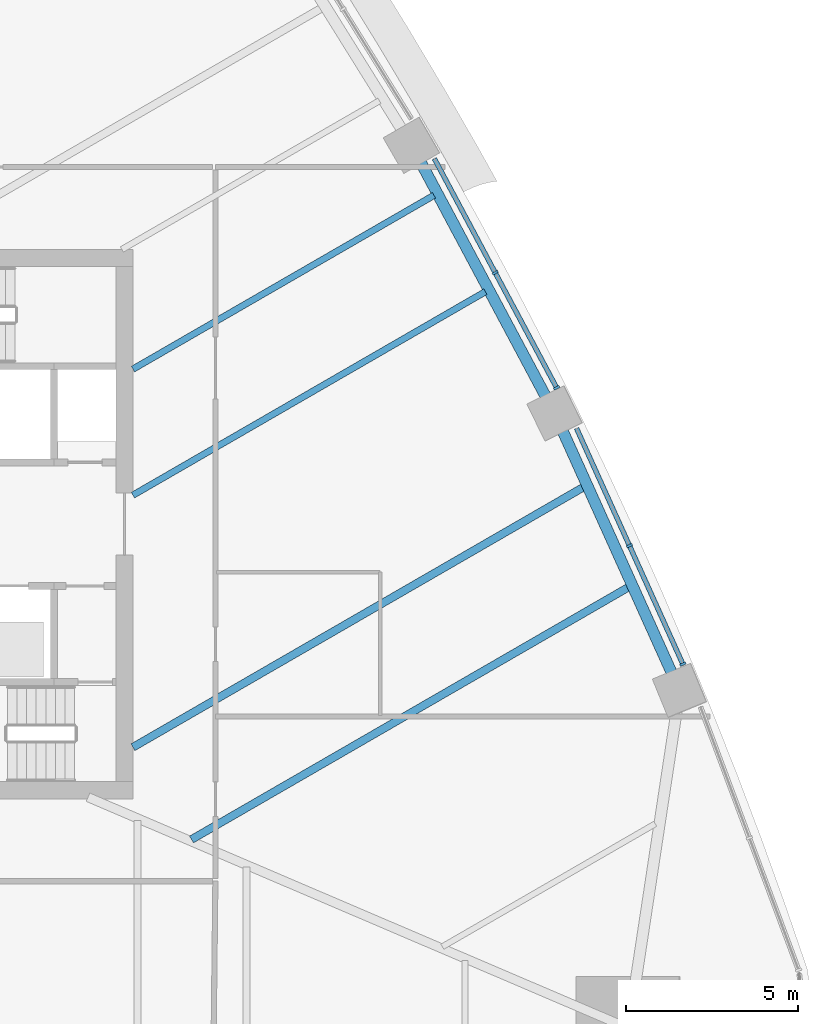
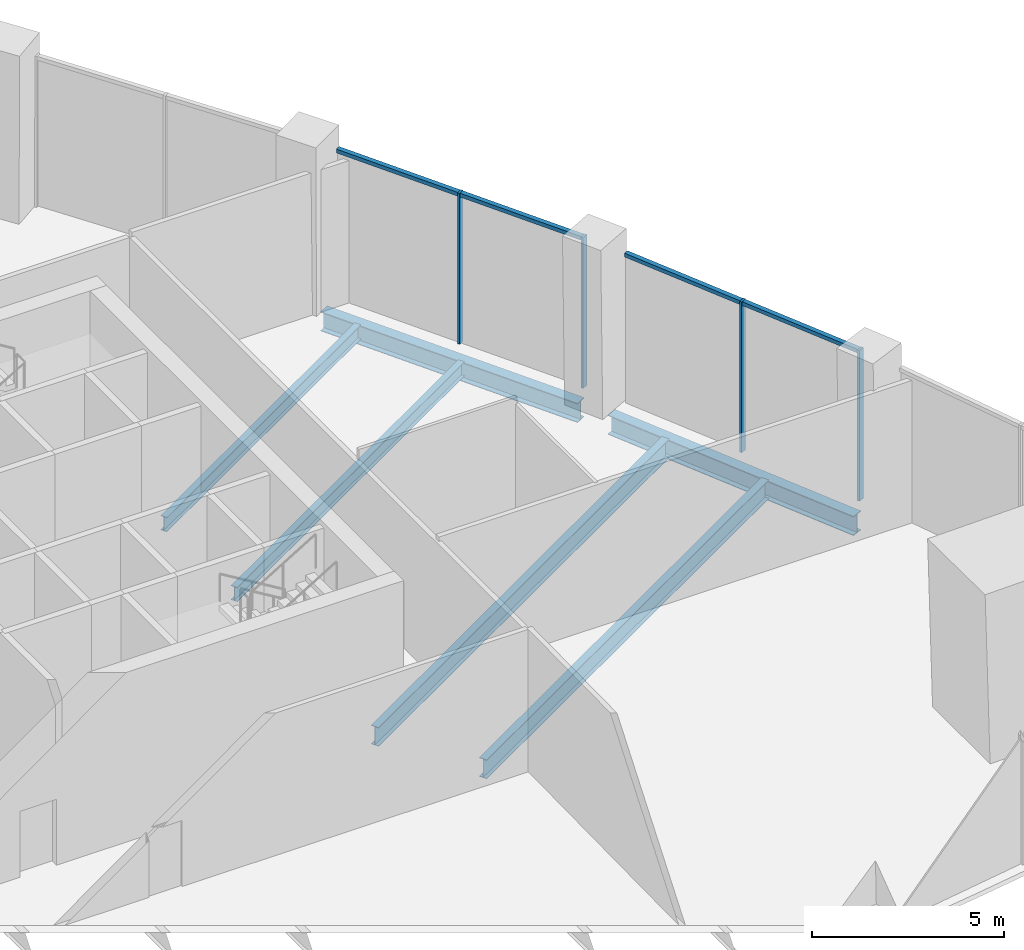
# One storey, part 5 of 16: 8 members, 6 beams, 2 elements without a shape of their own.
"""IFC4 building model written with IfcOpenShell, lengths in metres."""

from ifc_helpers import new_model, si_unit, direction, frame, origin, origin_2d, place, context, subcontext, project, spatial, rectangle, i_section, extrude, material, layer, layer_set, material_profile, profile_set, type_object, element, aggregate, save


model = new_model("IFC4")

# Units and contexts
model_context = context("Model", 3, precision=1e-05, world=origin(), true_north=direction((0.0, 1.0)))
body_context = subcontext(model_context, "Body", "Model", "MODEL_VIEW")
ifc_project = project(units=[si_unit("LENGTHUNIT", "METRE"), si_unit("AREAUNIT", "SQUARE_METRE"), si_unit("VOLUMEUNIT", "CUBIC_METRE"), si_unit("PLANEANGLEUNIT", "RADIAN"), si_unit("MASSUNIT", "GRAM", prefix="KILO")], contexts=[model_context])

# Site, building, storey
site_placement = place(None, origin())
site = spatial("IfcSite", under=ifc_project, at=site_placement, CompositionType="ELEMENT")
building_placement = place(site_placement, origin())
building = spatial("IfcBuilding", under=site, at=building_placement, Name="Sierra Prisma Convention Tower", CompositionType="ELEMENT")
storey_placement = place(building_placement, frame((0.0, 0.0, 107.199951171875)))
storey = spatial("IfcBuildingStorey", under=building, at=storey_placement, Name="L23", CompositionType="ELEMENT", Elevation=107.199951171875)

# Curtain wall, members
ifc_material_1 = material(Name="Aluminium and glass curtain wall", Category="aluminium")
ifc_layer = layer(ifc_material_1, 0.179931640625)
ifc_layer_set = layer_set([ifc_layer], Name="CW-1 Plain shaft curtain wall")
curtain_wall_type = type_object("IfcCurtainWallType", Name="CW-1 Plain shaft curtain wall", PredefinedType="NOTDEFINED", material=ifc_layer_set)
curtain_wall_1_placement = place(storey_placement, origin())
curtain_wall_1 = element("IfcCurtainWall", 1, at=curtain_wall_1_placement, inside=storey, type_object=curtain_wall_type, Name="CW-1 NE2 L23", PredefinedType="NOTDEFINED")
ifc_material_2 = material(Name="Aluminium 6063-T6 bronze anodised", Category="aluminium")
ifc_material_profile_1 = material_profile(ifc_material_2, rectangle(XDim=0.179931640625, YDim=0.070068359375, at=origin_2d()), Name="ALU MULLION 70x180")
ifc_profile_set_1 = profile_set([ifc_material_profile_1], Name="Aluminium 6063-T6 bronze anodised")
member_type_1 = type_object("IfcMemberType", Name="CW mullion bronze", PredefinedType="MULLION", material=ifc_profile_set_1)
member_1_placement = place(storey_placement, frame((27.015625, -4.0771484375, 0.0), z_axis=(0.0, 0.0, 1.0), x_axis=(-0.911632471612, -0.411006370634, 0.0)))
member_1 = element("IfcMember", 2, at=member_1_placement, type_object=member_type_1, Name="CW-1 mullion NE2.1", PredefinedType="MULLION", context=body_context, shape_type="SweptSolid", body=[
    extrude(rectangle(XDim=0.179931640625, YDim=0.070068359375, at=origin_2d()), origin(), (0.0, 0.0, 1.0), 4.800048828125),
])
member_2_placement = place(storey_placement, frame((25.46044921875, -0.6279296875, 0.0), z_axis=(0.0, 0.0, 1.0), x_axis=(-0.911632471612, -0.411006370634, 0.0)))
member_2 = element("IfcMember", 3, at=member_2_placement, type_object=member_type_1, Name="CW-1 mullion NE2.2", PredefinedType="MULLION", context=body_context, shape_type="SweptSolid", body=[
    extrude(rectangle(XDim=0.179931640625, YDim=0.070068359375, at=origin_2d()), origin(), (0.0, 0.0, 1.0), 4.800048828125),
])

curtain_wall_2_placement = place(storey_placement, origin())
curtain_wall_2 = element("IfcCurtainWall", 4, at=curtain_wall_2_placement, inside=storey, type_object=curtain_wall_type, Name="CW-1 NE3 L23", PredefinedType="NOTDEFINED")
member_3_placement = place(storey_placement, frame((23.33935546875, 3.9716796875, 0.0), z_axis=(0.0, 0.0, 1.0), x_axis=(-0.882214348939, -0.470848003633, 0.0)))
member_3 = element("IfcMember", 5, at=member_3_placement, type_object=member_type_1, Name="CW-1 mullion NE3.1", PredefinedType="MULLION", context=body_context, shape_type="SweptSolid", body=[
    extrude(rectangle(XDim=0.179931640625, YDim=0.070068359375, at=origin_2d()), origin(), (0.0, 0.0, 1.0), 4.800048828125),
])
member_4_placement = place(storey_placement, frame((21.55029296875, 7.323974609375, 0.0), z_axis=(0.0, 0.0, 1.0), x_axis=(-0.882214348939, -0.470848003633, 0.0)))
member_4 = element("IfcMember", 6, at=member_4_placement, type_object=member_type_1, Name="CW-1 mullion NE3.2", PredefinedType="MULLION", context=body_context, shape_type="SweptSolid", body=[
    extrude(rectangle(XDim=0.179931640625, YDim=0.070068359375, at=origin_2d()), origin(), (0.0, 0.0, 1.0), 4.800048828125),
])

# Member
ifc_material_3 = material(Name="Aluminium 6063-T6 bronze anodised", Category="aluminium")
ifc_material_profile_2 = material_profile(ifc_material_3, rectangle(XDim=0.139892578125, YDim=0.1201171875, at=origin_2d()), Name="ALU TRANSOM 120x140")
ifc_profile_set_2 = profile_set([ifc_material_profile_2], Name="Aluminium 6063-T6 bronze anodised")
member_type_2 = type_object("IfcMemberType", Name="CW transom bronze", PredefinedType="USERDEFINED", material=ifc_profile_set_2)
member_5_placement = place(storey_placement, frame((27.001220703125, -4.04541015625, 4.739990234375), z_axis=(-0.410987784755, 0.911640850764, 0.0), x_axis=(-0.911640850764, -0.410987784755, 0.0)))
member_5 = element("IfcMember", 7, at=member_5_placement, type_object=member_type_2, Name="CW-1 transom NE2.1", ObjectType="TRANSOM", PredefinedType="USERDEFINED", context=body_context, shape_type="SweptSolid", body=[
    extrude(rectangle(XDim=0.139892578125, YDim=0.1201171875, at=origin_2d()), origin(), (0.0, 0.0, 1.0), 3.7138671875),
])

member_6_placement = place(storey_placement, frame((25.446044921875, -0.595947265625, 4.739990234375), z_axis=(-0.41101241598, 0.911629746065, 0.0), x_axis=(-0.911629746065, -0.41101241598, 0.0)))
member_6 = element("IfcMember", 8, at=member_6_placement, type_object=member_type_2, Name="CW-1 transom NE2.2", ObjectType="TRANSOM", PredefinedType="USERDEFINED", context=body_context, shape_type="SweptSolid", body=[
    extrude(rectangle(XDim=0.139892578125, YDim=0.1201171875, at=origin_2d()), origin(), (0.0, 0.0, 1.0), 3.713623046875),
])

aggregate(curtain_wall_1, [member_1, member_2, member_5, member_6])

member_7_placement = place(storey_placement, frame((23.32275390625, 4.002685546875, 4.739990234375), z_axis=(-0.470829433264, 0.882224259909, 0.0), x_axis=(-0.882224259909, -0.470829433264, 0.0)))
member_7 = element("IfcMember", 9, at=member_7_placement, type_object=member_type_2, Name="CW-1 transom NE3.1", ObjectType="TRANSOM", PredefinedType="USERDEFINED", context=body_context, shape_type="SweptSolid", body=[
    extrude(rectangle(XDim=0.139892578125, YDim=0.1201171875, at=origin_2d()), origin(), (0.0, 0.0, 1.0), 3.729736328125),
])

member_8_placement = place(storey_placement, frame((21.53369140625, 7.35498046875, 4.739990234375), z_axis=(-0.470856623792, 0.882209748207, 0.0), x_axis=(-0.882209748207, -0.470856623792, 0.0)))
member_8 = element("IfcMember", 10, at=member_8_placement, type_object=member_type_2, Name="CW-1 transom NE3.2", ObjectType="TRANSOM", PredefinedType="USERDEFINED", context=body_context, shape_type="SweptSolid", body=[
    extrude(rectangle(XDim=0.139892578125, YDim=0.1201171875, at=origin_2d()), origin(), (0.0, 0.0, 1.0), 3.7294921875),
])

aggregate(curtain_wall_2, [member_3, member_4, member_7, member_8])

# Beams
ifc_material_4 = material(Name="Steel ASTM A992 Gr 50", Category="steel")
ifc_material_profile_3 = material_profile(ifc_material_4, i_section(OverallWidth=0.18994140625, OverallDepth=0.45703125, WebThickness=0.009033203125, FlangeThickness=0.014404296875, at=origin_2d()), Name="W460x74")
ifc_profile_set_3 = profile_set([ifc_material_profile_3], Name="Steel ASTM A992 Gr 50")
beam_type_1 = type_object("IfcBeamType", Name="Floor joist W460x74", PredefinedType="JOIST", material=ifc_profile_set_3)
beam_1_placement = place(storey_placement, frame((21.264892578125, 6.770751953125, -0.37841796875), z_axis=(-0.866022657331, -0.500004756968, 0.0), x_axis=(0.500004756968, -0.866022657331, 0.0)))
element("IfcBeam", 11, at=beam_1_placement, inside=storey, type_object=beam_type_1, Name="Floor joist L23 NE07", PredefinedType="JOIST", context=body_context, shape_type="SweptSolid", body=[
    extrude(i_section(OverallWidth=0.18994140625, OverallDepth=0.45703125, WebThickness=0.009033203125, FlangeThickness=0.014404296875, at=origin_2d()), origin(), (0.0, 0.0, 1.0), 11.85302734375),
])
beam_2_placement = place(storey_placement, frame((19.76708984375, 9.576904296875, -0.37841796875), z_axis=(-0.866032172415, -0.499988276205, 0.0), x_axis=(0.499988276205, -0.866032172415, 0.0)))
element("IfcBeam", 12, at=beam_2_placement, inside=storey, type_object=beam_type_1, Name="Floor joist L23 NE08", PredefinedType="JOIST", context=body_context, shape_type="SweptSolid", body=[
    extrude(i_section(OverallWidth=0.18994140625, OverallDepth=0.45703125, WebThickness=0.009033203125, FlangeThickness=0.014404296875, at=origin_2d()), origin(), (0.0, 0.0, 1.0), 10.123291015625),
])
ifc_material_5 = material(Name="Steel ASTM A992 Gr 50", Category="steel")
ifc_material_profile_4 = material_profile(ifc_material_5, i_section(OverallWidth=0.22802734375, OverallDepth=0.60302734375, WebThickness=0.010498046875, FlangeThickness=0.014892578125, at=origin_2d()), Name="W610x101")
ifc_profile_set_4 = profile_set([ifc_material_profile_4], Name="Steel ASTM A992 Gr 50")
beam_type_2 = type_object("IfcBeamType", Name="Floor joist W610x101", PredefinedType="JOIST", material=ifc_profile_set_4)
beam_3_placement = place(storey_placement, frame((25.44091796875, -1.83154296875, -0.451416015625), z_axis=(-0.86603298155, -0.499986874695, 0.0), x_axis=(0.499986874695, -0.86603298155, 0.0)))
element("IfcBeam", 13, at=beam_3_placement, inside=storey, type_object=beam_type_2, Name="Floor joist L23 NE04", PredefinedType="JOIST", context=body_context, shape_type="SweptSolid", body=[
    extrude(i_section(OverallWidth=0.22802734375, OverallDepth=0.60302734375, WebThickness=0.010498046875, FlangeThickness=0.014892578125, at=origin_2d()), origin(), (0.0, 0.0, 1.0), 14.7060546875),
])
beam_4_placement = place(storey_placement, frame((24.12744140625, 1.081298828125, -0.451416015625), z_axis=(-0.866026268399, -0.49999850244, 0.0), x_axis=(0.49999850244, -0.866026268399, 0.0)))
element("IfcBeam", 14, at=beam_4_placement, inside=storey, type_object=beam_type_2, Name="Floor joist L23 NE05", PredefinedType="JOIST", context=body_context, shape_type="SweptSolid", body=[
    extrude(i_section(OverallWidth=0.22802734375, OverallDepth=0.60302734375, WebThickness=0.010498046875, FlangeThickness=0.014892578125, at=origin_2d()), origin(), (0.0, 0.0, 1.0), 15.158203125),
])
ifc_material_6 = material(Name="Steel ASTM A992 Gr 50", Category="steel")
ifc_material_profile_5 = material_profile(ifc_material_6, i_section(OverallWidth=0.324951171875, OverallDepth=0.615966796875, WebThickness=0.013916015625, FlangeThickness=0.021484375, at=origin_2d()), Name="W610x174")
ifc_profile_set_5 = profile_set([ifc_material_profile_5], Name="Steel ASTM A992 Gr 50")
beam_type_3 = type_object("IfcBeamType", Name="Spandrel beam W610x174", PredefinedType="BEAM", material=ifc_profile_set_5)
beam_5_placement = place(storey_placement, frame((26.7275390625, -4.411376953125, -0.4580078125), z_axis=(-0.410995894178, 0.911637194814, 0.0), x_axis=(-0.911637194814, -0.410995894178, 0.0)))
element("IfcBeam", 15, at=beam_5_placement, inside=storey, type_object=beam_type_3, Name="Spandrel L23-08", PredefinedType="BEAM", context=body_context, shape_type="SweptSolid", body=[
    extrude(i_section(OverallWidth=0.324951171875, OverallDepth=0.615966796875, WebThickness=0.013916015625, FlangeThickness=0.021484375, at=origin_2d()), origin(), (0.0, 0.0, 1.0), 7.895263671875),
])
beam_6_placement = place(storey_placement, frame((23.05908203125, 3.647705078125, -0.4580078125), z_axis=(-0.470854655755, 0.882210798593, 0.0), x_axis=(-0.882210798593, -0.470854655755, 0.0)))
element("IfcBeam", 16, at=beam_6_placement, inside=storey, type_object=beam_type_3, Name="Spandrel L23-09", PredefinedType="BEAM", context=body_context, shape_type="SweptSolid", body=[
    extrude(i_section(OverallWidth=0.324951171875, OverallDepth=0.615966796875, WebThickness=0.013916015625, FlangeThickness=0.021484375, at=origin_2d()), origin(), (0.0, 0.0, 1.0), 7.894775390625),
])

save(model, "model.ifc")
